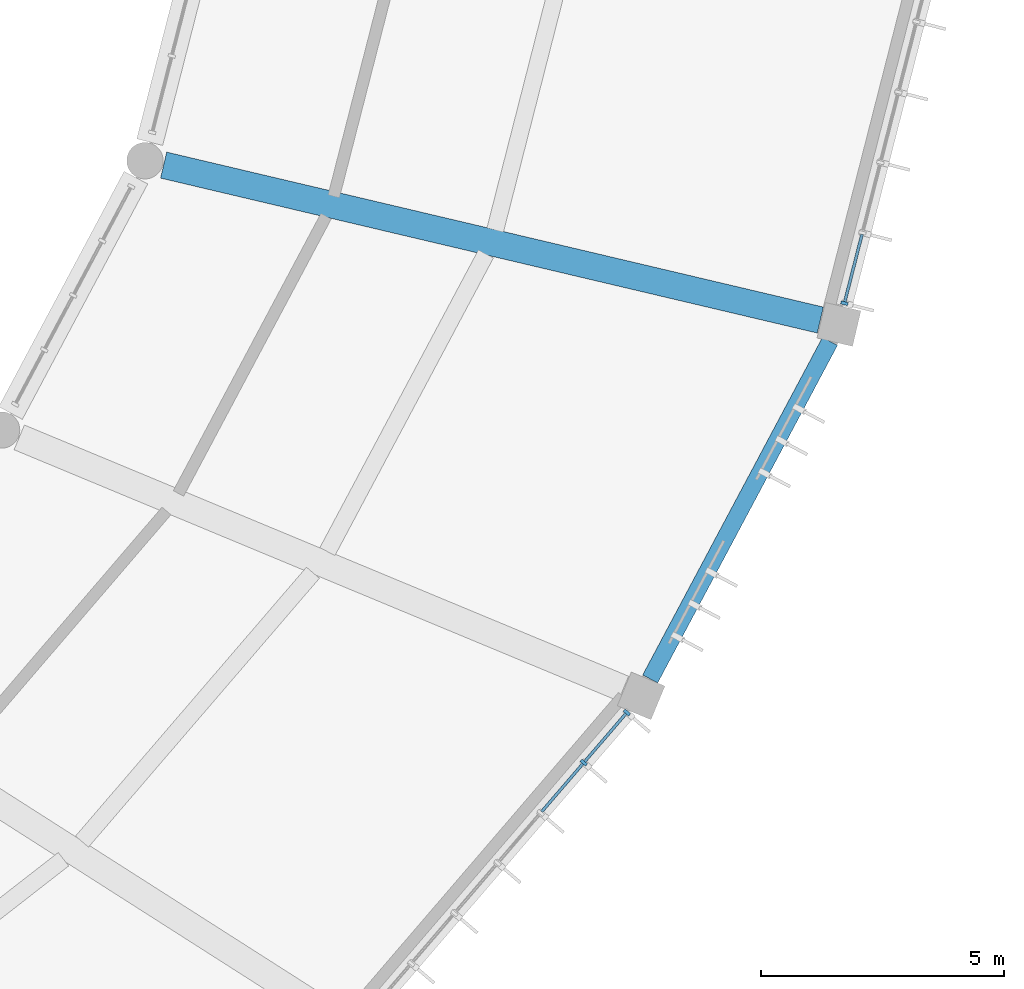
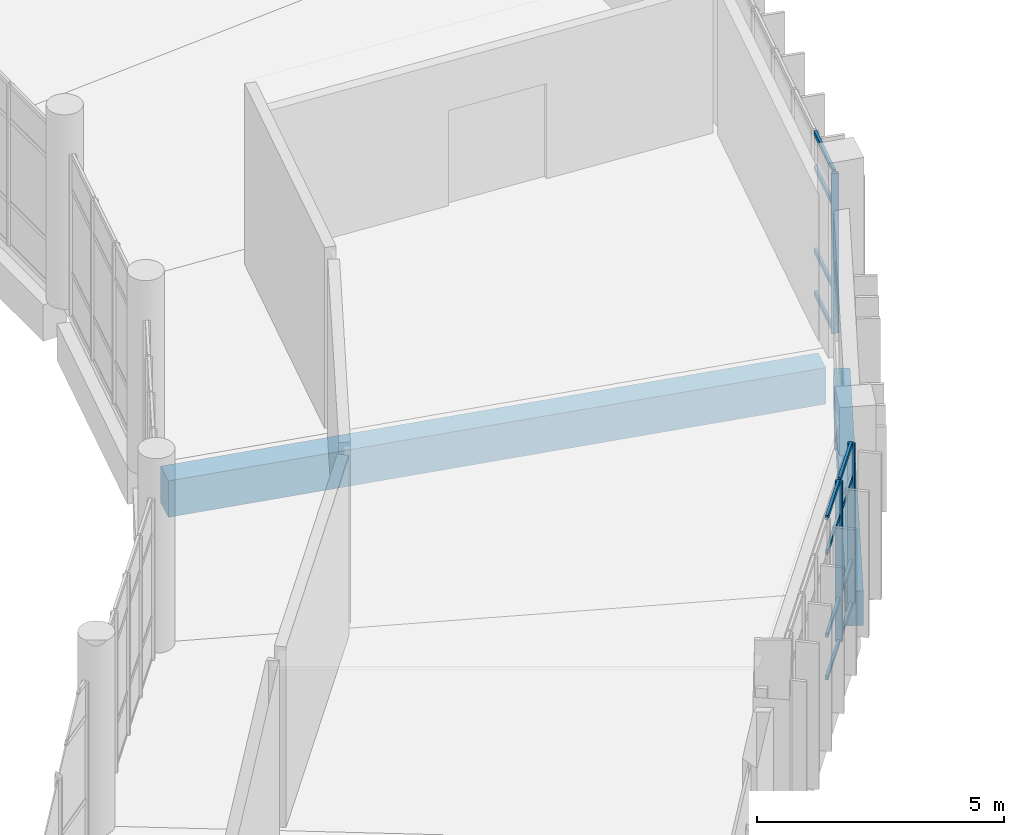
# One storey, part 40 of 179: 15 members, 2 beams, 2 elements without a shape of their own.
"""IFC4 building model written with IfcOpenShell, lengths in metres."""

from ifc_helpers import new_model, si_unit, direction, frame, origin, origin_2d, place, context, subcontext, project, spatial, rectangle, extrude, material, layer, layer_set, material_profile, profile_set, type_object, element, aggregate, save


model = new_model("IFC4")

# Units and contexts
model_context = context("Model", 3, precision=1e-05, world=origin(), true_north=direction((0.0, 1.0)))
body_context = subcontext(model_context, "Body", "Model", "MODEL_VIEW")
ifc_project = project(units=[si_unit("LENGTHUNIT", "METRE"), si_unit("AREAUNIT", "SQUARE_METRE"), si_unit("VOLUMEUNIT", "CUBIC_METRE"), si_unit("PLANEANGLEUNIT", "RADIAN"), si_unit("MASSUNIT", "GRAM", prefix="KILO")], contexts=[model_context])

# Site, building, storey
site_placement = place(None, origin())
site = spatial("IfcSite", under=ifc_project, at=site_placement, CompositionType="ELEMENT")
building_placement = place(site_placement, origin())
building = spatial("IfcBuilding", under=site, at=building_placement, Name="Corvandel Quay Wholesale Market", CompositionType="ELEMENT")
storey_placement = place(building_placement, frame((0.0, 0.0, 6.0)))
storey = spatial("IfcBuildingStorey", under=building, at=storey_placement, Name="L01", CompositionType="ELEMENT", Elevation=6.0)

# Curtain wall, members
ifc_material_1 = material(Name="Bronze anodised aluminium and low-E insulated glazing", Category="aluminium")
ifc_layer_1 = layer(ifc_material_1, 0.14990234375)
ifc_layer_set_1 = layer_set([ifc_layer_1], Name="Bronze anodised aluminium and low-E insulated glazing")
curtain_wall_type_1 = type_object("IfcCurtainWallType", Name="Stick Curtain Wall System CW05 H3450", PredefinedType="NOTDEFINED", material=ifc_layer_set_1)
curtain_wall_1_placement = place(storey_placement, origin())
curtain_wall_1 = element("IfcCurtainWall", 1, at=curtain_wall_1_placement, inside=storey, type_object=curtain_wall_type_1, Name="Curtain Wall CW-0085", PredefinedType="NOTDEFINED")
ifc_material_2 = material(Name="Anodised aluminium 6063-T6", Category="aluminium")
ifc_material_profile_1 = material_profile(ifc_material_2, rectangle(XDim=0.06494140625, YDim=0.14990234375, at=origin_2d()), Name="ALU-MUL-65x150")
ifc_profile_set_1 = profile_set([ifc_material_profile_1], Name="Anodised aluminium 6063-T6")
member_type_1 = type_object("IfcMemberType", Name="Curtain Wall Mullion ML02 65x150", PredefinedType="MULLION", material=ifc_profile_set_1)
member_1_placement = place(storey_placement, frame((160.673583984375, 20.73193359375, 0.0), z_axis=(0.0, 0.0, 1.0), x_axis=(0.651568967347, 0.758589401976, 0.0)))
member_1 = element("IfcMember", 2, at=member_1_placement, type_object=member_type_1, Name="Mullion CW-0085-M05", PredefinedType="MULLION", context=body_context, shape_type="SweptSolid", body=[
    extrude(rectangle(XDim=0.06494140625, YDim=0.14990234375, at=origin_2d()), origin(), (0.0, 0.0, 1.0), 3.949951171875),
])
member_2_placement = place(storey_placement, frame((161.560791015625, 21.7646484375, 0.0), z_axis=(0.0, 0.0, 1.0), x_axis=(0.651568967347, 0.758589401976, 0.0)))
member_2 = element("IfcMember", 3, at=member_2_placement, type_object=member_type_1, Name="Mullion CW-0085-M06", PredefinedType="MULLION", context=body_context, shape_type="SweptSolid", body=[
    extrude(rectangle(XDim=0.06494140625, YDim=0.14990234375, at=origin_2d()), origin(), (0.0, 0.0, 1.0), 3.949951171875),
])

# Curtain wall, member
ifc_layer_2 = layer(ifc_material_1, 0.174072265625)
ifc_layer_set_2 = layer_set([ifc_layer_2], Name="Bronze anodised aluminium and low-E insulated glazing")
curtain_wall_type_2 = type_object("IfcCurtainWallType", Name="Stick Curtain Wall System CW07 H3630", PredefinedType="NOTDEFINED", material=ifc_layer_set_2)
curtain_wall_2_placement = place(storey_placement, origin())
curtain_wall_2 = element("IfcCurtainWall", 4, at=curtain_wall_2_placement, inside=storey, type_object=curtain_wall_type_2, Name="Curtain Wall CW-0088", PredefinedType="NOTDEFINED")
member_3_placement = place(storey_placement, frame((166.03662109375, 30.18505859375, 0.0), z_axis=(0.0, 0.0, 1.0), x_axis=(0.247675453076, 0.968843057437, 0.0)))
member_3 = element("IfcMember", 5, at=member_3_placement, type_object=member_type_1, Name="Mullion CW-0088-M00", PredefinedType="MULLION", context=body_context, shape_type="SweptSolid", body=[
    extrude(rectangle(XDim=0.06494140625, YDim=0.14990234375, at=origin_2d()), origin(), (0.0, 0.0, 1.0), 3.949951171875),
])

# Member
ifc_material_profile_2 = material_profile(ifc_material_2, rectangle(XDim=0.06005859375, YDim=0.110107421875, at=origin_2d()), Name="ALU-TRN-60x110")
ifc_profile_set_2 = profile_set([ifc_material_profile_2], Name="Anodised aluminium 6063-T6")
member_type_2 = type_object("IfcMemberType", Name="Curtain Wall Transom TR02 60x110", PredefinedType="USERDEFINED", material=ifc_profile_set_2)
member_4_placement = place(storey_placement, frame((159.807861328125, 19.723876953125, 0.0), z_axis=(0.651597471756, 0.758564917987, 0.0), x_axis=(-0.758564917987, 0.651597471756, 0.0)))
member_4 = element("IfcMember", 6, at=member_4_placement, type_object=member_type_2, Name="Transom CW-0085-T04-0", ObjectType="TRANSOM", PredefinedType="USERDEFINED", context=body_context, shape_type="SweptSolid", body=[
    extrude(rectangle(XDim=0.06005859375, YDim=0.110107421875, at=origin_2d()), origin(), (0.0, 0.0, 1.0), 1.29638671875),
])

member_5_placement = place(storey_placement, frame((159.807861328125, 19.723876953125, 1.050048828125), z_axis=(0.651597471756, 0.758564917987, 0.0), x_axis=(-0.758564917987, 0.651597471756, 0.0)))
member_5 = element("IfcMember", 7, at=member_5_placement, type_object=member_type_2, Name="Transom CW-0085-T04-1", ObjectType="TRANSOM", PredefinedType="USERDEFINED", context=body_context, shape_type="SweptSolid", body=[
    extrude(rectangle(XDim=0.06005859375, YDim=0.110107421875, at=origin_2d()), origin(), (0.0, 0.0, 1.0), 1.29638671875),
])

member_6_placement = place(storey_placement, frame((159.807861328125, 19.723876953125, 3.10009765625), z_axis=(0.651597471756, 0.758564917987, 0.0), x_axis=(-0.758564917987, 0.651597471756, 0.0)))
member_6 = element("IfcMember", 8, at=member_6_placement, type_object=member_type_2, Name="Transom CW-0085-T04-2", ObjectType="TRANSOM", PredefinedType="USERDEFINED", context=body_context, shape_type="SweptSolid", body=[
    extrude(rectangle(XDim=0.06005859375, YDim=0.110107421875, at=origin_2d()), origin(), (0.0, 0.0, 1.0), 1.29638671875),
])

member_7_placement = place(storey_placement, frame((159.807861328125, 19.723876953125, 3.949951171875), z_axis=(0.651597471756, 0.758564917987, 0.0), x_axis=(-0.758564917987, 0.651597471756, 0.0)))
member_7 = element("IfcMember", 9, at=member_7_placement, type_object=member_type_2, Name="Transom CW-0085-T04-3", ObjectType="TRANSOM", PredefinedType="USERDEFINED", context=body_context, shape_type="SweptSolid", body=[
    extrude(rectangle(XDim=0.06005859375, YDim=0.110107421875, at=origin_2d()), origin(), (0.0, 0.0, 1.0), 1.29638671875),
])

member_8_placement = place(storey_placement, frame((160.69482421875, 20.756591796875, 0.0), z_axis=(0.651597471756, 0.758564917987, 0.0), x_axis=(-0.758564917987, 0.651597471756, 0.0)))
member_8 = element("IfcMember", 10, at=member_8_placement, type_object=member_type_2, Name="Transom CW-0085-T05-0", ObjectType="TRANSOM", PredefinedType="USERDEFINED", context=body_context, shape_type="SweptSolid", body=[
    extrude(rectangle(XDim=0.06005859375, YDim=0.110107421875, at=origin_2d()), origin(), (0.0, 0.0, 1.0), 1.29638671875),
])

member_9_placement = place(storey_placement, frame((160.69482421875, 20.756591796875, 1.050048828125), z_axis=(0.651597471756, 0.758564917987, 0.0), x_axis=(-0.758564917987, 0.651597471756, 0.0)))
member_9 = element("IfcMember", 11, at=member_9_placement, type_object=member_type_2, Name="Transom CW-0085-T05-1", ObjectType="TRANSOM", PredefinedType="USERDEFINED", context=body_context, shape_type="SweptSolid", body=[
    extrude(rectangle(XDim=0.06005859375, YDim=0.110107421875, at=origin_2d()), origin(), (0.0, 0.0, 1.0), 1.29638671875),
])

member_10_placement = place(storey_placement, frame((160.69482421875, 20.756591796875, 3.10009765625), z_axis=(0.651597471756, 0.758564917987, 0.0), x_axis=(-0.758564917987, 0.651597471756, 0.0)))
member_10 = element("IfcMember", 12, at=member_10_placement, type_object=member_type_2, Name="Transom CW-0085-T05-2", ObjectType="TRANSOM", PredefinedType="USERDEFINED", context=body_context, shape_type="SweptSolid", body=[
    extrude(rectangle(XDim=0.06005859375, YDim=0.110107421875, at=origin_2d()), origin(), (0.0, 0.0, 1.0), 1.29638671875),
])

member_11_placement = place(storey_placement, frame((160.69482421875, 20.756591796875, 3.949951171875), z_axis=(0.651597471756, 0.758564917987, 0.0), x_axis=(-0.758564917987, 0.651597471756, 0.0)))
member_11 = element("IfcMember", 13, at=member_11_placement, type_object=member_type_2, Name="Transom CW-0085-T05-3", ObjectType="TRANSOM", PredefinedType="USERDEFINED", context=body_context, shape_type="SweptSolid", body=[
    extrude(rectangle(XDim=0.06005859375, YDim=0.110107421875, at=origin_2d()), origin(), (0.0, 0.0, 1.0), 1.29638671875),
])

aggregate(curtain_wall_1, [member_1, member_2, member_4, member_5, member_6, member_7, member_8, member_9, member_10, member_11])

member_12_placement = place(storey_placement, frame((166.044677734375, 30.216552734375, 0.0), z_axis=(0.247594705579, 0.968863696177, 0.0), x_axis=(-0.968863696177, 0.247594705579, 0.0)))
member_12 = element("IfcMember", 14, at=member_12_placement, type_object=member_type_2, Name="Transom CW-0088-T00-0", ObjectType="TRANSOM", PredefinedType="USERDEFINED", context=body_context, shape_type="SweptSolid", body=[
    extrude(rectangle(XDim=0.06005859375, YDim=0.110107421875, at=origin_2d()), origin(), (0.0, 0.0, 1.0), 1.4296875),
])

member_13_placement = place(storey_placement, frame((166.044677734375, 30.216552734375, 1.050048828125), z_axis=(0.247594705579, 0.968863696177, 0.0), x_axis=(-0.968863696177, 0.247594705579, 0.0)))
member_13 = element("IfcMember", 15, at=member_13_placement, type_object=member_type_2, Name="Transom CW-0088-T00-1", ObjectType="TRANSOM", PredefinedType="USERDEFINED", context=body_context, shape_type="SweptSolid", body=[
    extrude(rectangle(XDim=0.06005859375, YDim=0.110107421875, at=origin_2d()), origin(), (0.0, 0.0, 1.0), 1.4296875),
])

member_14_placement = place(storey_placement, frame((166.044677734375, 30.216552734375, 3.10009765625), z_axis=(0.247594705579, 0.968863696177, 0.0), x_axis=(-0.968863696177, 0.247594705579, 0.0)))
member_14 = element("IfcMember", 16, at=member_14_placement, type_object=member_type_2, Name="Transom CW-0088-T00-2", ObjectType="TRANSOM", PredefinedType="USERDEFINED", context=body_context, shape_type="SweptSolid", body=[
    extrude(rectangle(XDim=0.06005859375, YDim=0.110107421875, at=origin_2d()), origin(), (0.0, 0.0, 1.0), 1.4296875),
])

member_15_placement = place(storey_placement, frame((166.044677734375, 30.216552734375, 3.949951171875), z_axis=(0.247594705579, 0.968863696177, 0.0), x_axis=(-0.968863696177, 0.247594705579, 0.0)))
member_15 = element("IfcMember", 17, at=member_15_placement, type_object=member_type_2, Name="Transom CW-0088-T00-3", ObjectType="TRANSOM", PredefinedType="USERDEFINED", context=body_context, shape_type="SweptSolid", body=[
    extrude(rectangle(XDim=0.06005859375, YDim=0.110107421875, at=origin_2d()), origin(), (0.0, 0.0, 1.0), 1.4296875),
])

aggregate(curtain_wall_2, [member_3, member_12, member_13, member_14, member_15])

# Beams
ifc_material_3 = material(Name="Precast concrete C45/55", Category="concrete")
ifc_material_profile_3 = material_profile(ifc_material_3, rectangle(XDim=0.35009765625, YDim=0.85009765625, at=origin_2d()), Name="PC-SPN-350x850")
ifc_profile_set_3 = profile_set([ifc_material_profile_3], Name="Precast concrete C45/55")
beam_type_1 = type_object("IfcBeamType", Name="Perimeter Precast Spandrel SP01 350x850", PredefinedType="SPANDREL", material=ifc_profile_set_3)
beam_1_placement = place(storey_placement, frame((162.039794921875, 22.45458984375, -0.72509765625), z_axis=(0.470097048579, 0.882614731872, 0.0), x_axis=(-0.882614731872, 0.470097048579, 0.0)))
element("IfcBeam", 18, at=beam_1_placement, inside=storey, type_object=beam_type_1, Name="Beam BM-0358", PredefinedType="SPANDREL", context=body_context, shape_type="SweptSolid", body=[
    extrude(rectangle(XDim=0.35009765625, YDim=0.85009765625, at=origin_2d()), origin(), (0.0, 0.0, 1.0), 7.86962890625),
])
ifc_material_profile_4 = material_profile(ifc_material_3, rectangle(XDim=0.550048828125, YDim=0.89990234375, at=origin_2d()), Name="PC-GIR-550x900")
ifc_profile_set_4 = profile_set([ifc_material_profile_4], Name="Precast concrete C45/55")
beam_type_2 = type_object("IfcBeamType", Name="Produce Hall Radial Girder G03 550x900", PredefinedType="USERDEFINED", material=ifc_profile_set_4)
beam_2_placement = place(storey_placement, frame((165.54052734375, 29.839599609375, -0.75), z_axis=(-0.97327837295, 0.229628414506, 0.0), x_axis=(-0.229628414506, -0.97327837295, 0.0)))
element("IfcBeam", 19, at=beam_2_placement, inside=storey, type_object=beam_type_2, Name="Beam BM-0372", ObjectType="GIRDER", PredefinedType="USERDEFINED", context=body_context, shape_type="SweptSolid", body=[
    extrude(rectangle(XDim=0.550048828125, YDim=0.89990234375, at=origin_2d()), origin(), (0.0, 0.0, 1.0), 13.882080078125),
])

save(model, "model.ifc")
